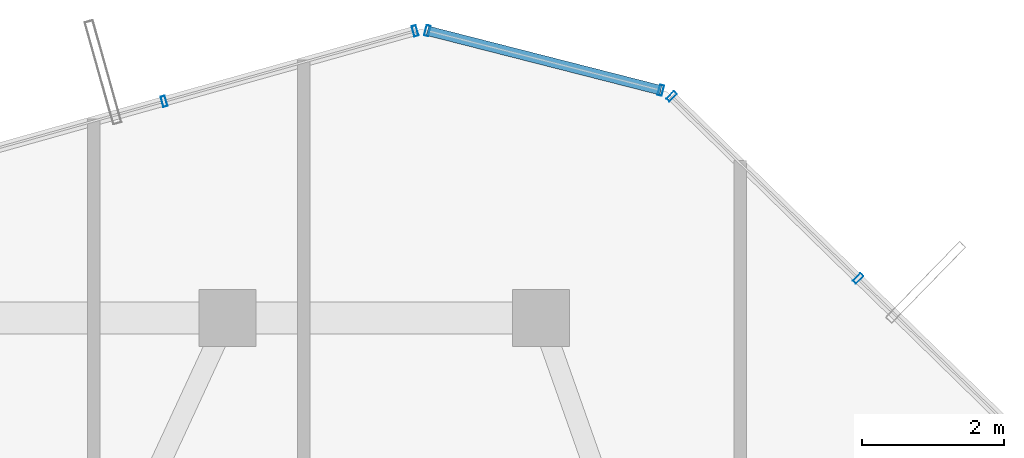
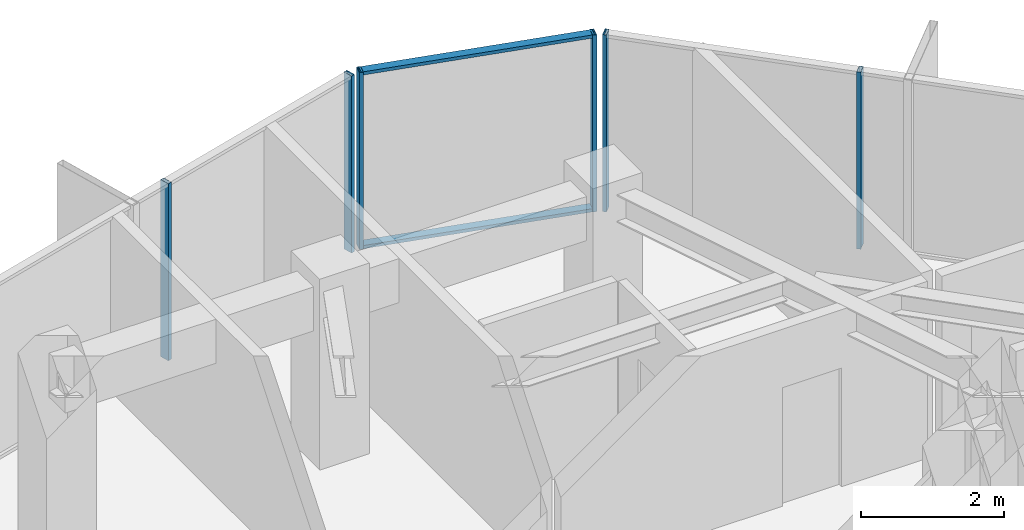
# One storey, part 23 of 29: 8 members, 3 elements without a shape of their own.
"""IFC4 building model written with IfcOpenShell, lengths in metres."""

from ifc_helpers import new_model, si_unit, direction, frame, origin, origin_2d, place, context, subcontext, project, spatial, hollow_rectangle, extrude, source, transform, mapped, material, layer, layer_set, material_profile, profile_set, type_object, element, aggregate, save


model = new_model("IFC4")

# Units and contexts
model_context = context("Model", 3, precision=1e-05, world=origin(), true_north=direction((0.0, 1.0)))
body_context = subcontext(model_context, "Body", "Model", "MODEL_VIEW")
ifc_project = project(units=[si_unit("LENGTHUNIT", "METRE"), si_unit("AREAUNIT", "SQUARE_METRE"), si_unit("VOLUMEUNIT", "CUBIC_METRE"), si_unit("PLANEANGLEUNIT", "RADIAN"), si_unit("MASSUNIT", "GRAM", prefix="KILO")], contexts=[model_context])

# Site, building, storey
site_placement = place(None, origin())
site = spatial("IfcSite", under=ifc_project, at=site_placement, CompositionType="ELEMENT")
building_placement = place(site_placement, origin())
building = spatial("IfcBuilding", under=site, at=building_placement, Name="Veraguas Prism Commons", CompositionType="ELEMENT")
storey_placement = place(building_placement, frame((0.0, 0.0, 257.75)))
storey = spatial("IfcBuildingStorey", under=building, at=storey_placement, Name="L73", CompositionType="ELEMENT", Elevation=257.75)

# Curtain wall, members
ifc_material = material(Name="Anodised aluminium EN AW-6063 T6", Category="aluminium")
ifc_layer = layer(ifc_material, 0.14990234375, Name="Unitised Flush Curtain Wall Zone 4", Category="aluminium")
ifc_layer_set = layer_set([ifc_layer], Name="Anodised aluminium EN AW-6063 T6")
curtain_wall_type = type_object("IfcCurtainWallType", Name="Unitised Flush Curtain Wall Zone 4", PredefinedType="NOTDEFINED", material=ifc_layer_set)
curtain_wall_1_placement = place(storey_placement, origin())
curtain_wall_1 = element("IfcCurtainWall", 1, at=curtain_wall_1_placement, inside=storey, type_object=curtain_wall_type, Name="Tower Facade Curtain Wall L73-F1", PredefinedType="NOTDEFINED")
ifc_material_profile_1 = material_profile(ifc_material, hollow_rectangle(XDim=0.06005859375, YDim=0.14990234375, WallThickness=0.0029296875, at=origin_2d()), Name="AL60X150X3")
ifc_profile_set_1 = profile_set([ifc_material_profile_1], Name="Anodised aluminium EN AW-6063 T6")
member_type_1 = type_object("IfcMemberType", Name="Curtain Wall Mullion Upper AL 60x150x3", PredefinedType="MULLION", material=ifc_profile_set_1)
shared_shape_1 = source(origin(), body_context, "Body", "SweptSolid", [
    extrude(hollow_rectangle(XDim=0.06005859375, YDim=0.14990234375, WallThickness=0.0029296875, at=origin_2d()), origin(), (0.0, 0.0, 1.0), 3.014892578125),
])
member_1_placement = place(storey_placement, frame((32.85498046875, 38.3515625, 0.0), z_axis=(0.0, 0.0, 1.0), x_axis=(-0.715447677779, 0.698666315462, 0.0)))
member_1 = element("IfcMember", 2, at=member_1_placement, type_object=member_type_1, Name="CW-Z4 Mullion 4", PredefinedType="MULLION", context=body_context, shape_type="MappedRepresentation", body=[
    mapped(shared_shape_1, transform((0.0, 0.0, 0.0), scale=1.0)),
])
member_2_placement = place(storey_placement, frame((30.2353515625, 40.90966796875, 0.0), z_axis=(0.0, 0.0, 1.0), x_axis=(-0.715447677779, 0.698666315462, 0.0)))
member_2 = element("IfcMember", 3, at=member_2_placement, type_object=member_type_1, Name="CW-Z4 Mullion 5", PredefinedType="MULLION", context=body_context, shape_type="MappedRepresentation", body=[
    mapped(shared_shape_1, transform((0.0, 0.0, 0.0), scale=1.0)),
])
aggregate(curtain_wall_1, [member_1, member_2])

curtain_wall_2_placement = place(storey_placement, origin())
curtain_wall_2 = element("IfcCurtainWall", 4, at=curtain_wall_2_placement, inside=storey, type_object=curtain_wall_type, Name="Tower Facade Curtain Wall L73-F2", PredefinedType="NOTDEFINED")
member_3_placement = place(storey_placement, frame((26.63232421875, 41.82958984375, 0.0), z_axis=(0.0, 0.0, 1.0), x_axis=(-0.962784730035, -0.270269427816, 0.0)))
member_3 = element("IfcMember", 5, at=member_3_placement, type_object=member_type_1, Name="CW-Z4 Mullion 1", PredefinedType="MULLION", context=body_context, shape_type="MappedRepresentation", body=[
    mapped(shared_shape_1, transform((0.0, 0.0, 0.0), scale=1.0)),
])
member_4_placement = place(storey_placement, frame((23.107177734375, 40.83984375, 0.0), z_axis=(0.0, 0.0, 1.0), x_axis=(-0.962784730035, -0.270269427816, 0.0)))
member_4 = element("IfcMember", 6, at=member_4_placement, type_object=member_type_1, Name="CW-Z4 Mullion 2", PredefinedType="MULLION", context=body_context, shape_type="MappedRepresentation", body=[
    mapped(shared_shape_1, transform((0.0, 0.0, 0.0), scale=1.0)),
])
aggregate(curtain_wall_2, [member_3, member_4])

curtain_wall_3_placement = place(storey_placement, origin())
curtain_wall_3 = element("IfcCurtainWall", 7, at=curtain_wall_3_placement, inside=storey, type_object=curtain_wall_type, Name="Chamfer Curtain Wall L73-C2", PredefinedType="NOTDEFINED")
member_5_placement = place(storey_placement, frame((30.083740234375, 40.994873046875, 0.0), z_axis=(0.0, 0.0, 1.0), x_axis=(-0.968922546116, 0.247364305486, 0.0)))
member_5 = element("IfcMember", 8, at=member_5_placement, type_object=member_type_1, Name="CW-Z4 Mullion 1", PredefinedType="MULLION", context=body_context, shape_type="MappedRepresentation", body=[
    mapped(shared_shape_1, transform((0.0, 0.0, 0.0), scale=1.0)),
])
member_6_placement = place(storey_placement, frame((26.80615234375, 41.83154296875, 0.0), z_axis=(0.0, 0.0, 1.0), x_axis=(-0.968922546116, 0.247364305486, 0.0)))
member_6 = element("IfcMember", 9, at=member_6_placement, type_object=member_type_1, Name="CW-Z4 Mullion 2", PredefinedType="MULLION", context=body_context, shape_type="MappedRepresentation", body=[
    mapped(shared_shape_1, transform((0.0, 0.0, 0.0), scale=1.0)),
])
ifc_material_profile_2 = material_profile(ifc_material, hollow_rectangle(XDim=0.054931640625, YDim=0.135009765625, WallThickness=0.0029296875, at=origin_2d()), Name="AL55X135X3")
ifc_profile_set_2 = profile_set([ifc_material_profile_2], Name="Anodised aluminium EN AW-6063 T6")
member_type_2 = type_object("IfcMemberType", Name="Curtain Wall Transom Standard AL 55x135x3", PredefinedType="USERDEFINED", material=ifc_profile_set_2)
shared_shape_2 = source(origin(), body_context, "Body", "SweptSolid", [
    extrude(hollow_rectangle(XDim=0.054931640625, YDim=0.135009765625, WallThickness=0.0029296875, at=origin_2d()), origin(), (0.0, 0.0, 1.0), 3.3828125),
])
member_7_placement = place(storey_placement, frame((30.083740234375, 40.994873046875, 0.027587890625), z_axis=(-0.968929119938, 0.24733855449, 0.0), x_axis=(0.0, 0.0, 1.0)))
member_7 = element("IfcMember", 10, at=member_7_placement, type_object=member_type_2, Name="CW-Z4 Transom 1", ObjectType="TRANSOM", PredefinedType="USERDEFINED", context=body_context, shape_type="MappedRepresentation", body=[
    mapped(shared_shape_2, transform((0.0, 0.0, 0.0), scale=1.0)),
])
member_8_placement = place(storey_placement, frame((30.083740234375, 40.994873046875, 2.987548828125), z_axis=(-0.968929119938, 0.24733855449, 0.0), x_axis=(0.0, 0.0, 1.0)))
member_8 = element("IfcMember", 11, at=member_8_placement, type_object=member_type_2, Name="CW-Z4 Transom 2", ObjectType="TRANSOM", PredefinedType="USERDEFINED", context=body_context, shape_type="MappedRepresentation", body=[
    mapped(shared_shape_2, transform((0.0, 0.0, 0.0), scale=1.0)),
])
aggregate(curtain_wall_3, [member_5, member_6, member_7, member_8])

save(model, "model.ifc")
